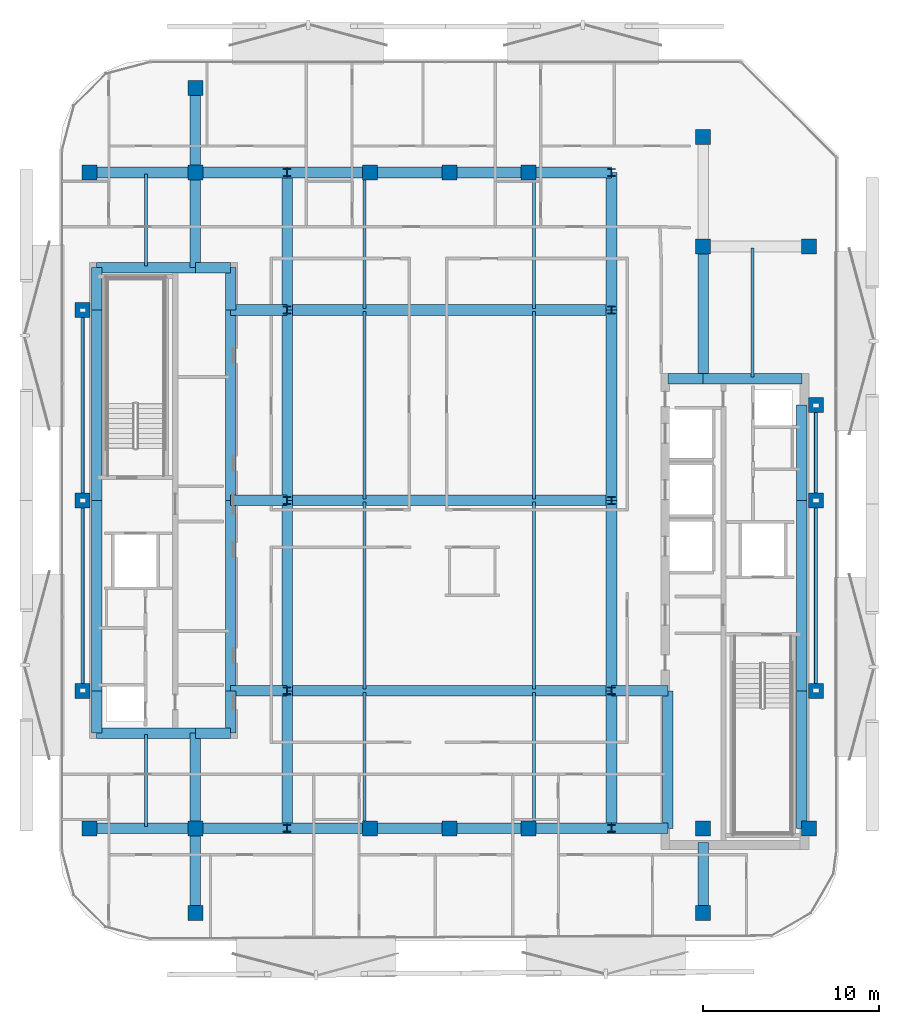
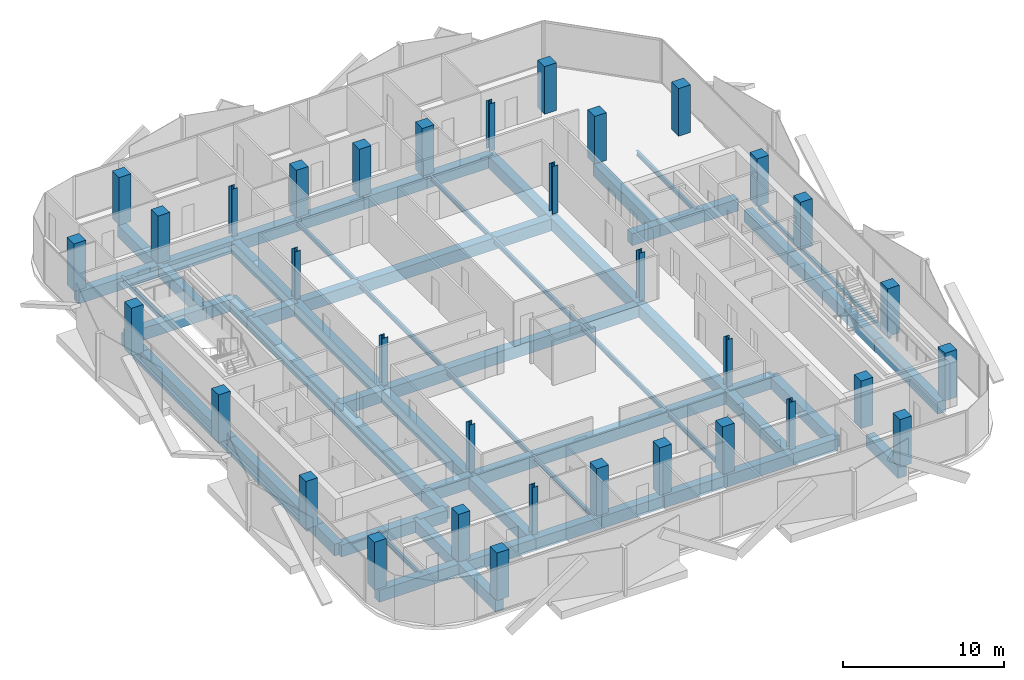
# One storey, part 1 of 15: 67 beams, 34 columns.
"""IFC4 building model written with IfcOpenShell, lengths in metres."""

from ifc_helpers import new_model, si_unit, direction, frame, origin, origin_2d, place, context, subcontext, project, spatial, rectangle, hollow_rectangle, i_section, extrude, material, material_profile, profile_set, type_object, element, save


model = new_model("IFC4")

# Units and contexts
model_context = context("Model", 3, precision=1e-05, world=origin(), true_north=direction((0.0, 1.0)))
body_context = subcontext(model_context, "Body", "Model", "MODEL_VIEW")
ifc_project = project(units=[si_unit("LENGTHUNIT", "METRE"), si_unit("AREAUNIT", "SQUARE_METRE"), si_unit("VOLUMEUNIT", "CUBIC_METRE"), si_unit("PLANEANGLEUNIT", "RADIAN"), si_unit("MASSUNIT", "GRAM", prefix="KILO")], contexts=[model_context])

# Site, building, storey
site_placement = place(None, origin())
site = spatial("IfcSite", under=ifc_project, at=site_placement, CompositionType="ELEMENT")
building_placement = place(site_placement, origin())
building = spatial("IfcBuilding", under=site, at=building_placement, Name="Khairoan Windgate Tower", CompositionType="ELEMENT")
storey_placement = place(building_placement, frame((0.0, 0.0, 244.0)))
storey = spatial("IfcBuildingStorey", under=building, at=storey_placement, Name="L57", CompositionType="ELEMENT", Elevation=244.0)

# Columns
ifc_material_1 = material(Name="Concrete C50/60", Category="concrete")
ifc_material_profile_1 = material_profile(ifc_material_1, rectangle(XDim=0.85009765625, YDim=0.85009765625, at=origin_2d()))
ifc_profile_set_1 = profile_set([ifc_material_profile_1], Name="Concrete C50/60")
column_type_1 = type_object("IfcColumnType", Name="Column C-T5 RC850x850", PredefinedType="COLUMN", material=ifc_profile_set_1)
for number, where, z_axis, x_axis, name in (
    (1, (-20.39990234375, -18.60009765625, 0.0), (0.0, 0.0, 1.0), (1.0, 0.0, 0.0), "Column L57-11"),
    (2, (-20.39990234375, 18.60009765625, 0.0), (0.0, 0.0, 1.0), (1.0, 0.0, 0.0), "Column L57-12"),
    (3, (20.39990234375, -18.60009765625, 0.0), (0.0, 0.0, 1.0), (1.0, 0.0, 0.0), "Column L57-13"),
    (4, (20.39990234375, 14.39990234375, 0.0), (0.0, 0.0, 1.0), (1.0, 0.0, 0.0), "Column L57-14"),
    (5, (-14.39990234375, -18.60009765625, 0.0), (0.0, 0.0, 1.0), (1.0, 0.0, 0.0), "Column L57-15"),
    (6, (-14.39990234375, 18.60009765625, 0.0), (0.0, 0.0, 1.0), (1.0, 0.0, 0.0), "Column L57-16"),
    (7, (14.39990234375, -18.60009765625, 0.0), (0.0, 0.0, 1.0), (1.0, 0.0, 0.0), "Column L57-17"),
    (8, (14.39990234375, 14.39990234375, 0.0), (0.0, 0.0, 1.0), (1.0, 0.0, 0.0), "Column L57-18"),
    (9, (-4.5, -18.60009765625, 0.0), (0.0, 0.0, 1.0), (1.0, 0.0, 0.0), "Column L57-19"),
    (10, (0.0, -18.60009765625, 0.0), (0.0, 0.0, 1.0), (1.0, 0.0, 0.0), "Column L57-20"),
    (11, (4.5, -18.60009765625, 0.0), (0.0, 0.0, 1.0), (1.0, 0.0, 0.0), "Column L57-21"),
    (12, (-4.5, 18.60009765625, 0.0), (0.0, 0.0, 1.0), (1.0, 0.0, 0.0), "Column L57-22"),
    (13, (0.0, 18.60009765625, 0.0), (0.0, 0.0, 1.0), (1.0, 0.0, 0.0), "Column L57-23"),
    (14, (4.5, 18.60009765625, 0.0), (0.0, 0.0, 1.0), (1.0, 0.0, 0.0), "Column L57-24"),
    (15, (-20.800048828125, -10.800048828125, 0.0), (0.0, 0.0, 1.0), (1.0, 0.0, 0.0), "Column L57-25"),
    (16, (-20.800048828125, 0.0, 0.0), (0.0, 0.0, 1.0), (1.0, 0.0, 0.0), "Column L57-26"),
    (17, (-20.800048828125, 10.800048828125, 0.0), (0.0, 0.0, 1.0), (1.0, 0.0, 0.0), "Column L57-27"),
    (18, (20.800048828125, -10.800048828125, 0.0), (0.0, 0.0, 1.0), (1.0, 0.0, 0.0), "Column L57-28"),
    (19, (20.800048828125, 0.0, 0.0), (0.0, 0.0, 1.0), (1.0, 0.0, 0.0), "Column L57-29"),
    (20, (20.800048828125, 5.39990234375, 0.0), (0.0, 0.0, 1.0), (1.0, 0.0, 0.0), "Column L57-30"),
    (21, (-14.39990234375, -23.39990234375, 0.0), (0.0, 0.0, 1.0), (1.0, 0.0, 0.0), "Column L57-31"),
    (22, (-14.39990234375, 23.39990234375, 0.0), (0.0, 0.0, 1.0), (1.0, 0.0, 0.0), "Column L57-32"),
    (23, (14.39990234375, -23.39990234375, 0.0), (0.0, 0.0, 1.0), (1.0, 0.0, 0.0), "Column L57-33"),
    (24, (14.39990234375, 20.60009765625, 0.0), (0.0, 0.0, 1.0), (1.0, 0.0, 0.0), "Column L57-34"),
):
    element("IfcColumn", number, at=place(storey_placement, frame(where, z_axis=z_axis, x_axis=x_axis)), inside=storey, type_object=column_type_1, Name=name, PredefinedType="COLUMN", context=body_context, shape_type="SweptSolid", body=[
        extrude(rectangle(XDim=0.85009765625, YDim=0.85009765625, at=origin_2d()), origin(), (0.0, 0.0, 1.0), 3.60009765625),
    ])
ifc_material_2 = material(Name="Steel S355", Category="steel")
ifc_material_profile_2 = material_profile(ifc_material_2, i_section(OverallWidth=0.406982421875, OverallDepth=0.427978515625, WebThickness=0.02001953125, FlangeThickness=0.034912109375, FilletRadius=0.02197265625, at=origin_2d()))
ifc_profile_set_2 = profile_set([ifc_material_profile_2], Name="Steel S355")
column_type_2 = type_object("IfcColumnType", Name="Steel Column SC3 H428x407x20x35", PredefinedType="COLUMN", material=ifc_profile_set_2)
for number, where, z_axis, x_axis, name in (
    (25, (-9.199951171875, -18.60009765625, 0.0), (0.0, 0.0, 1.0), (1.0, 0.0, 0.0), "Column L57-01"),
    (26, (-9.199951171875, -10.800048828125, 0.0), (0.0, 0.0, 1.0), (1.0, 0.0, 0.0), "Column L57-02"),
    (27, (-9.199951171875, 0.0, 0.0), (0.0, 0.0, 1.0), (1.0, 0.0, 0.0), "Column L57-03"),
    (28, (-9.199951171875, 10.800048828125, 0.0), (0.0, 0.0, 1.0), (1.0, 0.0, 0.0), "Column L57-04"),
    (29, (-9.199951171875, 18.60009765625, 0.0), (0.0, 0.0, 1.0), (1.0, 0.0, 0.0), "Column L57-05"),
    (30, (9.199951171875, -18.60009765625, 0.0), (0.0, 0.0, 1.0), (1.0, 0.0, 0.0), "Column L57-06"),
    (31, (9.199951171875, -10.800048828125, 0.0), (0.0, 0.0, 1.0), (1.0, 0.0, 0.0), "Column L57-07"),
    (32, (9.199951171875, 0.0, 0.0), (0.0, 0.0, 1.0), (1.0, 0.0, 0.0), "Column L57-08"),
    (33, (9.199951171875, 10.800048828125, 0.0), (0.0, 0.0, 1.0), (1.0, 0.0, 0.0), "Column L57-09"),
    (34, (9.199951171875, 18.60009765625, 0.0), (0.0, 0.0, 1.0), (1.0, 0.0, 0.0), "Column L57-10"),
):
    element("IfcColumn", number, at=place(storey_placement, frame(where, z_axis=z_axis, x_axis=x_axis)), inside=storey, type_object=column_type_2, Name=name, PredefinedType="COLUMN", context=body_context, shape_type="SweptSolid", body=[
        extrude(i_section(OverallWidth=0.406982421875, OverallDepth=0.427978515625, WebThickness=0.02001953125, FlangeThickness=0.034912109375, FilletRadius=0.02197265625, at=origin_2d()), origin(), (0.0, 0.0, 1.0), 3.60009765625),
    ])

# Beams
ifc_material_3 = material(Name="Concrete C50/60", Category="concrete")
ifc_material_profile_3 = material_profile(ifc_material_3, rectangle(XDim=0.60009765625, YDim=0.89990234375, at=origin_2d()))
ifc_profile_set_3 = profile_set([ifc_material_profile_3], Name="Concrete C50/60")
beam_type_1 = type_object("IfcBeamType", Name="Beam B-RC1 RC600x900", PredefinedType="BEAM", material=ifc_profile_set_3)
beam_1_placement = place(storey_placement, frame((-20.39990234375, -18.60009765625, -0.7099609375), z_axis=(1.0, 0.0, 0.0), x_axis=(0.0, 1.0, 0.0)))
element("IfcBeam", 35, at=beam_1_placement, inside=storey, type_object=beam_type_1, Name="L57 E-W Primary Girder 01", PredefinedType="BEAM", context=body_context, shape_type="SweptSolid", body=[
    extrude(rectangle(XDim=0.60009765625, YDim=0.89990234375, at=origin_2d()), origin(), (0.0, 0.0, 1.0), 6.0),
])
beam_2_placement = place(storey_placement, frame((-14.39990234375, -18.60009765625, -0.7099609375), z_axis=(1.0, 0.0, 0.0), x_axis=(0.0, 1.0, 0.0)))
element("IfcBeam", 36, at=beam_2_placement, inside=storey, type_object=beam_type_1, Name="L57 E-W Primary Girder 02", PredefinedType="BEAM", context=body_context, shape_type="SweptSolid", body=[
    extrude(rectangle(XDim=0.60009765625, YDim=0.89990234375, at=origin_2d()), origin(), (0.0, 0.0, 1.0), 5.199951171875),
])
beam_3_placement = place(storey_placement, frame((-9.199951171875, -18.60009765625, -0.7099609375), z_axis=(1.0, 0.0, 0.0), x_axis=(0.0, 1.0, 0.0)))
element("IfcBeam", 37, at=beam_3_placement, inside=storey, type_object=beam_type_1, Name="L57 E-W Primary Girder 03", PredefinedType="BEAM", context=body_context, shape_type="SweptSolid", body=[
    extrude(rectangle(XDim=0.60009765625, YDim=0.89990234375, at=origin_2d()), origin(), (0.0, 0.0, 1.0), 4.699951171875),
])
for number, where, z_axis, x_axis, name in (
    (38, (-4.5, -18.60009765625, -0.7099609375), (1.0, 0.0, 0.0), (0.0, 1.0, 0.0), "L57 E-W Primary Girder 04"),
    (39, (0.0, -18.60009765625, -0.7099609375), (1.0, 0.0, 0.0), (0.0, 1.0, 0.0), "L57 E-W Primary Girder 05"),
):
    element("IfcBeam", number, at=place(storey_placement, frame(where, z_axis=z_axis, x_axis=x_axis)), inside=storey, type_object=beam_type_1, Name=name, PredefinedType="BEAM", context=body_context, shape_type="SweptSolid", body=[
        extrude(rectangle(XDim=0.60009765625, YDim=0.89990234375, at=origin_2d()), origin(), (0.0, 0.0, 1.0), 4.5),
    ])
beam_4_placement = place(storey_placement, frame((4.5, -18.60009765625, -0.7099609375), z_axis=(1.0, 0.0, 0.0), x_axis=(0.0, 1.0, 0.0)))
element("IfcBeam", 40, at=beam_4_placement, inside=storey, type_object=beam_type_1, Name="L57 E-W Primary Girder 06", PredefinedType="BEAM", context=body_context, shape_type="SweptSolid", body=[
    extrude(rectangle(XDim=0.60009765625, YDim=0.89990234375, at=origin_2d()), origin(), (0.0, 0.0, 1.0), 4.699951171875),
])
beam_5_placement = place(storey_placement, frame((9.199951171875, -18.60009765625, -0.7099609375), z_axis=(1.0, 0.0, 0.0), x_axis=(0.0, 1.0, 0.0)))
element("IfcBeam", 41, at=beam_5_placement, inside=storey, type_object=beam_type_1, Name="L57 E-W Primary Girder 07", PredefinedType="BEAM", context=body_context, shape_type="SweptSolid", body=[
    extrude(rectangle(XDim=0.60009765625, YDim=0.89990234375, at=origin_2d()), origin(), (0.0, 0.0, 1.0), 3.199951171875),
])
beam_6_placement = place(storey_placement, frame((-20.0, -13.199951171875, -0.7099609375), z_axis=(1.0, 0.0, 0.0), x_axis=(0.0, 1.0, 0.0)))
element("IfcBeam", 42, at=beam_6_placement, inside=storey, type_object=beam_type_1, Name="L57 E-W Primary Girder 08", PredefinedType="BEAM", context=body_context, shape_type="SweptSolid", body=[
    extrude(rectangle(XDim=0.60009765625, YDim=0.89990234375, at=origin_2d()), origin(), (0.0, 0.0, 1.0), 5.60009765625),
])
beam_7_placement = place(storey_placement, frame((-14.39990234375, -13.199951171875, -0.7099609375), z_axis=(1.0, 0.0, 0.0), x_axis=(0.0, 1.0, 0.0)))
element("IfcBeam", 43, at=beam_7_placement, inside=storey, type_object=beam_type_1, Name="L57 E-W Primary Girder 09", PredefinedType="BEAM", context=body_context, shape_type="SweptSolid", body=[
    extrude(rectangle(XDim=0.60009765625, YDim=0.89990234375, at=origin_2d()), origin(), (0.0, 0.0, 1.0), 2.0),
])
beam_8_placement = place(storey_placement, frame((-12.39990234375, -10.800048828125, -0.7099609375), z_axis=(1.0, 0.0, 0.0), x_axis=(0.0, 1.0, 0.0)))
element("IfcBeam", 44, at=beam_8_placement, inside=storey, type_object=beam_type_1, Name="L57 E-W Primary Girder 10", PredefinedType="BEAM", context=body_context, shape_type="SweptSolid", body=[
    extrude(rectangle(XDim=0.60009765625, YDim=0.89990234375, at=origin_2d()), origin(), (0.0, 0.0, 1.0), 3.199951171875),
])
beam_9_placement = place(storey_placement, frame((-9.199951171875, -10.800048828125, -0.7099609375), z_axis=(1.0, 0.0, 0.0), x_axis=(0.0, 1.0, 0.0)))
element("IfcBeam", 45, at=beam_9_placement, inside=storey, type_object=beam_type_1, Name="L57 E-W Primary Girder 11", PredefinedType="BEAM", context=body_context, shape_type="SweptSolid", body=[
    extrude(rectangle(XDim=0.60009765625, YDim=0.89990234375, at=origin_2d()), origin(), (0.0, 0.0, 1.0), 18.39990234375),
])
for number, where, z_axis, x_axis, name in (
    (46, (9.199951171875, -10.800048828125, -0.7099609375), (1.0, 0.0, 0.0), (0.0, 1.0, 0.0), "L57 E-W Primary Girder 12"),
    (47, (-12.39990234375, 0.0, -0.7099609375), (1.0, 0.0, 0.0), (0.0, 1.0, 0.0), "L57 E-W Primary Girder 13"),
):
    element("IfcBeam", number, at=place(storey_placement, frame(where, z_axis=z_axis, x_axis=x_axis)), inside=storey, type_object=beam_type_1, Name=name, PredefinedType="BEAM", context=body_context, shape_type="SweptSolid", body=[
        extrude(rectangle(XDim=0.60009765625, YDim=0.89990234375, at=origin_2d()), origin(), (0.0, 0.0, 1.0), 3.199951171875),
    ])
beam_10_placement = place(storey_placement, frame((-9.199951171875, 0.0, -0.7099609375), z_axis=(1.0, 0.0, 0.0), x_axis=(0.0, 1.0, 0.0)))
element("IfcBeam", 48, at=beam_10_placement, inside=storey, type_object=beam_type_1, Name="L57 E-W Primary Girder 14", PredefinedType="BEAM", context=body_context, shape_type="SweptSolid", body=[
    extrude(rectangle(XDim=0.60009765625, YDim=0.89990234375, at=origin_2d()), origin(), (0.0, 0.0, 1.0), 18.39990234375),
])
beam_11_placement = place(storey_placement, frame((12.39990234375, 6.89990234375, -0.7099609375), z_axis=(1.0, 0.0, 0.0), x_axis=(0.0, 1.0, 0.0)))
element("IfcBeam", 49, at=beam_11_placement, inside=storey, type_object=beam_type_1, Name="L57 E-W Primary Girder 15", PredefinedType="BEAM", context=body_context, shape_type="SweptSolid", body=[
    extrude(rectangle(XDim=0.60009765625, YDim=0.89990234375, at=origin_2d()), origin(), (0.0, 0.0, 1.0), 2.0),
])
beam_12_placement = place(storey_placement, frame((14.39990234375, 6.89990234375, -0.7099609375), z_axis=(1.0, 0.0, 0.0), x_axis=(0.0, 1.0, 0.0)))
element("IfcBeam", 50, at=beam_12_placement, inside=storey, type_object=beam_type_1, Name="L57 E-W Primary Girder 16", PredefinedType="BEAM", context=body_context, shape_type="SweptSolid", body=[
    extrude(rectangle(XDim=0.60009765625, YDim=0.89990234375, at=origin_2d()), origin(), (0.0, 0.0, 1.0), 5.60009765625),
])
beam_13_placement = place(storey_placement, frame((-12.39990234375, 10.800048828125, -0.7099609375), z_axis=(1.0, 0.0, 0.0), x_axis=(0.0, 1.0, 0.0)))
element("IfcBeam", 51, at=beam_13_placement, inside=storey, type_object=beam_type_1, Name="L57 E-W Primary Girder 17", PredefinedType="BEAM", context=body_context, shape_type="SweptSolid", body=[
    extrude(rectangle(XDim=0.60009765625, YDim=0.89990234375, at=origin_2d()), origin(), (0.0, 0.0, 1.0), 3.199951171875),
])
beam_14_placement = place(storey_placement, frame((-9.199951171875, 10.800048828125, -0.7099609375), z_axis=(1.0, 0.0, 0.0), x_axis=(0.0, 1.0, 0.0)))
element("IfcBeam", 52, at=beam_14_placement, inside=storey, type_object=beam_type_1, Name="L57 E-W Primary Girder 18", PredefinedType="BEAM", context=body_context, shape_type="SweptSolid", body=[
    extrude(rectangle(XDim=0.60009765625, YDim=0.89990234375, at=origin_2d()), origin(), (0.0, 0.0, 1.0), 18.39990234375),
])
beam_15_placement = place(storey_placement, frame((-20.0, 13.199951171875, -0.7099609375), z_axis=(1.0, 0.0, 0.0), x_axis=(0.0, 1.0, 0.0)))
element("IfcBeam", 53, at=beam_15_placement, inside=storey, type_object=beam_type_1, Name="L57 E-W Primary Girder 19", PredefinedType="BEAM", context=body_context, shape_type="SweptSolid", body=[
    extrude(rectangle(XDim=0.60009765625, YDim=0.89990234375, at=origin_2d()), origin(), (0.0, 0.0, 1.0), 5.60009765625),
])
beam_16_placement = place(storey_placement, frame((-14.39990234375, 13.199951171875, -0.7099609375), z_axis=(1.0, 0.0, 0.0), x_axis=(0.0, 1.0, 0.0)))
element("IfcBeam", 54, at=beam_16_placement, inside=storey, type_object=beam_type_1, Name="L57 E-W Primary Girder 20", PredefinedType="BEAM", context=body_context, shape_type="SweptSolid", body=[
    extrude(rectangle(XDim=0.60009765625, YDim=0.89990234375, at=origin_2d()), origin(), (0.0, 0.0, 1.0), 2.0),
])
beam_17_placement = place(storey_placement, frame((-20.39990234375, 18.60009765625, -0.7099609375), z_axis=(1.0, 0.0, 0.0), x_axis=(0.0, 1.0, 0.0)))
element("IfcBeam", 55, at=beam_17_placement, inside=storey, type_object=beam_type_1, Name="L57 E-W Primary Girder 22", PredefinedType="BEAM", context=body_context, shape_type="SweptSolid", body=[
    extrude(rectangle(XDim=0.60009765625, YDim=0.89990234375, at=origin_2d()), origin(), (0.0, 0.0, 1.0), 6.0),
])
beam_18_placement = place(storey_placement, frame((-14.39990234375, 18.60009765625, -0.7099609375), z_axis=(1.0, 0.0, 0.0), x_axis=(0.0, 1.0, 0.0)))
element("IfcBeam", 56, at=beam_18_placement, inside=storey, type_object=beam_type_1, Name="L57 E-W Primary Girder 23", PredefinedType="BEAM", context=body_context, shape_type="SweptSolid", body=[
    extrude(rectangle(XDim=0.60009765625, YDim=0.89990234375, at=origin_2d()), origin(), (0.0, 0.0, 1.0), 5.199951171875),
])
beam_19_placement = place(storey_placement, frame((-9.199951171875, 18.60009765625, -0.7099609375), z_axis=(1.0, 0.0, 0.0), x_axis=(0.0, 1.0, 0.0)))
element("IfcBeam", 57, at=beam_19_placement, inside=storey, type_object=beam_type_1, Name="L57 E-W Primary Girder 24", PredefinedType="BEAM", context=body_context, shape_type="SweptSolid", body=[
    extrude(rectangle(XDim=0.60009765625, YDim=0.89990234375, at=origin_2d()), origin(), (0.0, 0.0, 1.0), 4.699951171875),
])
for number, where, z_axis, x_axis, name in (
    (58, (-4.5, 18.60009765625, -0.7099609375), (1.0, 0.0, 0.0), (0.0, 1.0, 0.0), "L57 E-W Primary Girder 25"),
    (59, (0.0, 18.60009765625, -0.7099609375), (1.0, 0.0, 0.0), (0.0, 1.0, 0.0), "L57 E-W Primary Girder 26"),
):
    element("IfcBeam", number, at=place(storey_placement, frame(where, z_axis=z_axis, x_axis=x_axis)), inside=storey, type_object=beam_type_1, Name=name, PredefinedType="BEAM", context=body_context, shape_type="SweptSolid", body=[
        extrude(rectangle(XDim=0.60009765625, YDim=0.89990234375, at=origin_2d()), origin(), (0.0, 0.0, 1.0), 4.5),
    ])
beam_20_placement = place(storey_placement, frame((4.5, 18.60009765625, -0.7099609375), z_axis=(1.0, 0.0, 0.0), x_axis=(0.0, 1.0, 0.0)))
element("IfcBeam", 60, at=beam_20_placement, inside=storey, type_object=beam_type_1, Name="L57 E-W Primary Girder 27", PredefinedType="BEAM", context=body_context, shape_type="SweptSolid", body=[
    extrude(rectangle(XDim=0.60009765625, YDim=0.89990234375, at=origin_2d()), origin(), (0.0, 0.0, 1.0), 4.699951171875),
])
beam_21_placement = place(storey_placement, frame((-20.0, -13.199951171875, -0.7099609375), z_axis=(0.0, 1.0, 0.0), x_axis=(-1.0, 0.0, 0.0)))
element("IfcBeam", 61, at=beam_21_placement, inside=storey, type_object=beam_type_1, Name="L57 N-S Primary Beam 30", PredefinedType="BEAM", context=body_context, shape_type="SweptSolid", body=[
    extrude(rectangle(XDim=0.60009765625, YDim=0.89990234375, at=origin_2d()), origin(), (0.0, 0.0, 1.0), 2.39990234375),
])
for number, where, z_axis, x_axis, name in (
    (62, (-20.0, -10.800048828125, -0.7099609375), (0.0, 1.0, 0.0), (-1.0, 0.0, 0.0), "L57 N-S Primary Beam 31"),
    (63, (-20.0, 0.0, -0.7099609375), (0.0, 1.0, 0.0), (-1.0, 0.0, 0.0), "L57 N-S Primary Beam 32"),
):
    element("IfcBeam", number, at=place(storey_placement, frame(where, z_axis=z_axis, x_axis=x_axis)), inside=storey, type_object=beam_type_1, Name=name, PredefinedType="BEAM", context=body_context, shape_type="SweptSolid", body=[
        extrude(rectangle(XDim=0.60009765625, YDim=0.89990234375, at=origin_2d()), origin(), (0.0, 0.0, 1.0), 10.800048828125),
    ])
beam_22_placement = place(storey_placement, frame((-20.0, 10.800048828125, -0.7099609375), z_axis=(0.0, 1.0, 0.0), x_axis=(-1.0, 0.0, 0.0)))
element("IfcBeam", 64, at=beam_22_placement, inside=storey, type_object=beam_type_1, Name="L57 N-S Primary Beam 33", PredefinedType="BEAM", context=body_context, shape_type="SweptSolid", body=[
    extrude(rectangle(XDim=0.60009765625, YDim=0.89990234375, at=origin_2d()), origin(), (0.0, 0.0, 1.0), 2.39990234375),
])
beam_23_placement = place(storey_placement, frame((-14.39990234375, -23.39990234375, -0.7099609375), z_axis=(0.0, 1.0, 0.0), x_axis=(-1.0, 0.0, 0.0)))
element("IfcBeam", 65, at=beam_23_placement, inside=storey, type_object=beam_type_1, Name="L57 N-S Primary Beam 34", PredefinedType="BEAM", context=body_context, shape_type="SweptSolid", body=[
    extrude(rectangle(XDim=0.60009765625, YDim=0.89990234375, at=origin_2d()), origin(), (0.0, 0.0, 1.0), 4.7998046875),
])
for number, where, z_axis, x_axis, name in (
    (66, (-14.39990234375, -18.60009765625, -0.7099609375), (0.0, 1.0, 0.0), (-1.0, 0.0, 0.0), "L57 N-S Primary Beam 35"),
    (67, (-14.39990234375, 13.199951171875, -0.7099609375), (0.0, 1.0, 0.0), (-1.0, 0.0, 0.0), "L57 N-S Primary Beam 36"),
):
    element("IfcBeam", number, at=place(storey_placement, frame(where, z_axis=z_axis, x_axis=x_axis)), inside=storey, type_object=beam_type_1, Name=name, PredefinedType="BEAM", context=body_context, shape_type="SweptSolid", body=[
        extrude(rectangle(XDim=0.60009765625, YDim=0.89990234375, at=origin_2d()), origin(), (0.0, 0.0, 1.0), 5.400146484375),
    ])
beam_24_placement = place(storey_placement, frame((-14.39990234375, 18.60009765625, -0.7099609375), z_axis=(0.0, 1.0, 0.0), x_axis=(-1.0, 0.0, 0.0)))
element("IfcBeam", 68, at=beam_24_placement, inside=storey, type_object=beam_type_1, Name="L57 N-S Primary Beam 37", PredefinedType="BEAM", context=body_context, shape_type="SweptSolid", body=[
    extrude(rectangle(XDim=0.60009765625, YDim=0.89990234375, at=origin_2d()), origin(), (0.0, 0.0, 1.0), 4.7998046875),
])
beam_25_placement = place(storey_placement, frame((-12.39990234375, -13.199951171875, -0.7099609375), z_axis=(0.0, 1.0, 0.0), x_axis=(-1.0, 0.0, 0.0)))
element("IfcBeam", 69, at=beam_25_placement, inside=storey, type_object=beam_type_1, Name="L57 N-S Primary Beam 38", PredefinedType="BEAM", context=body_context, shape_type="SweptSolid", body=[
    extrude(rectangle(XDim=0.60009765625, YDim=0.89990234375, at=origin_2d()), origin(), (0.0, 0.0, 1.0), 2.39990234375),
])
for number, where, z_axis, x_axis, name in (
    (70, (-12.39990234375, -10.800048828125, -0.7099609375), (0.0, 1.0, 0.0), (-1.0, 0.0, 0.0), "L57 N-S Primary Beam 39"),
    (71, (-12.39990234375, 0.0, -0.7099609375), (0.0, 1.0, 0.0), (-1.0, 0.0, 0.0), "L57 N-S Primary Beam 40"),
):
    element("IfcBeam", number, at=place(storey_placement, frame(where, z_axis=z_axis, x_axis=x_axis)), inside=storey, type_object=beam_type_1, Name=name, PredefinedType="BEAM", context=body_context, shape_type="SweptSolid", body=[
        extrude(rectangle(XDim=0.60009765625, YDim=0.89990234375, at=origin_2d()), origin(), (0.0, 0.0, 1.0), 10.800048828125),
    ])
beam_26_placement = place(storey_placement, frame((-12.39990234375, 10.800048828125, -0.7099609375), z_axis=(0.0, 1.0, 0.0), x_axis=(-1.0, 0.0, 0.0)))
element("IfcBeam", 72, at=beam_26_placement, inside=storey, type_object=beam_type_1, Name="L57 N-S Primary Beam 41", PredefinedType="BEAM", context=body_context, shape_type="SweptSolid", body=[
    extrude(rectangle(XDim=0.60009765625, YDim=0.89990234375, at=origin_2d()), origin(), (0.0, 0.0, 1.0), 2.39990234375),
])
beam_27_placement = place(storey_placement, frame((-9.199951171875, -18.60009765625, -0.7099609375), z_axis=(0.0, 1.0, 0.0), x_axis=(-1.0, 0.0, 0.0)))
element("IfcBeam", 73, at=beam_27_placement, inside=storey, type_object=beam_type_1, Name="L57 N-S Primary Beam 42", PredefinedType="BEAM", context=body_context, shape_type="SweptSolid", body=[
    extrude(rectangle(XDim=0.60009765625, YDim=0.89990234375, at=origin_2d()), origin(), (0.0, 0.0, 1.0), 7.800048828125),
])
for number, where, z_axis, x_axis, name in (
    (74, (-9.199951171875, -10.800048828125, -0.7099609375), (0.0, 1.0, 0.0), (-1.0, 0.0, 0.0), "L57 N-S Primary Beam 43"),
    (75, (-9.199951171875, 0.0, -0.7099609375), (0.0, 1.0, 0.0), (-1.0, 0.0, 0.0), "L57 N-S Primary Beam 44"),
):
    element("IfcBeam", number, at=place(storey_placement, frame(where, z_axis=z_axis, x_axis=x_axis)), inside=storey, type_object=beam_type_1, Name=name, PredefinedType="BEAM", context=body_context, shape_type="SweptSolid", body=[
        extrude(rectangle(XDim=0.60009765625, YDim=0.89990234375, at=origin_2d()), origin(), (0.0, 0.0, 1.0), 10.800048828125),
    ])
for number, where, z_axis, x_axis, name in (
    (76, (-9.199951171875, 10.800048828125, -0.7099609375), (0.0, 1.0, 0.0), (-1.0, 0.0, 0.0), "L57 N-S Primary Beam 45"),
    (77, (9.199951171875, -18.60009765625, -0.7099609375), (0.0, 1.0, 0.0), (-1.0, 0.0, 0.0), "L57 N-S Primary Beam 46"),
):
    element("IfcBeam", number, at=place(storey_placement, frame(where, z_axis=z_axis, x_axis=x_axis)), inside=storey, type_object=beam_type_1, Name=name, PredefinedType="BEAM", context=body_context, shape_type="SweptSolid", body=[
        extrude(rectangle(XDim=0.60009765625, YDim=0.89990234375, at=origin_2d()), origin(), (0.0, 0.0, 1.0), 7.800048828125),
    ])
for number, where, z_axis, x_axis, name in (
    (78, (9.199951171875, -10.800048828125, -0.7099609375), (0.0, 1.0, 0.0), (-1.0, 0.0, 0.0), "L57 N-S Primary Beam 47"),
    (79, (9.199951171875, 0.0, -0.7099609375), (0.0, 1.0, 0.0), (-1.0, 0.0, 0.0), "L57 N-S Primary Beam 48"),
):
    element("IfcBeam", number, at=place(storey_placement, frame(where, z_axis=z_axis, x_axis=x_axis)), inside=storey, type_object=beam_type_1, Name=name, PredefinedType="BEAM", context=body_context, shape_type="SweptSolid", body=[
        extrude(rectangle(XDim=0.60009765625, YDim=0.89990234375, at=origin_2d()), origin(), (0.0, 0.0, 1.0), 10.800048828125),
    ])
for number, where, z_axis, x_axis, name in (
    (80, (9.199951171875, 10.800048828125, -0.7099609375), (0.0, 1.0, 0.0), (-1.0, 0.0, 0.0), "L57 N-S Primary Beam 49"),
    (81, (12.39990234375, -18.60009765625, -0.7099609375), (0.0, 1.0, 0.0), (-1.0, 0.0, 0.0), "L57 N-S Primary Beam 50"),
):
    element("IfcBeam", number, at=place(storey_placement, frame(where, z_axis=z_axis, x_axis=x_axis)), inside=storey, type_object=beam_type_1, Name=name, PredefinedType="BEAM", context=body_context, shape_type="SweptSolid", body=[
        extrude(rectangle(XDim=0.60009765625, YDim=0.89990234375, at=origin_2d()), origin(), (0.0, 0.0, 1.0), 7.800048828125),
    ])
beam_28_placement = place(storey_placement, frame((14.39990234375, -23.39990234375, -0.7099609375), z_axis=(0.0, 1.0, 0.0), x_axis=(-1.0, 0.0, 0.0)))
element("IfcBeam", 82, at=beam_28_placement, inside=storey, type_object=beam_type_1, Name="L57 N-S Primary Beam 51", PredefinedType="BEAM", context=body_context, shape_type="SweptSolid", body=[
    extrude(rectangle(XDim=0.60009765625, YDim=0.89990234375, at=origin_2d()), origin(), (0.0, 0.0, 1.0), 4.0),
])
beam_29_placement = place(storey_placement, frame((14.39990234375, 6.89990234375, -0.7099609375), z_axis=(0.0, 1.0, 0.0), x_axis=(-1.0, 0.0, 0.0)))
element("IfcBeam", 83, at=beam_29_placement, inside=storey, type_object=beam_type_1, Name="L57 N-S Primary Beam 52", PredefinedType="BEAM", context=body_context, shape_type="SweptSolid", body=[
    extrude(rectangle(XDim=0.60009765625, YDim=0.89990234375, at=origin_2d()), origin(), (0.0, 0.0, 1.0), 7.5),
])
beam_30_placement = place(storey_placement, frame((20.0, -18.60009765625, -0.7099609375), z_axis=(0.0, 1.0, 0.0), x_axis=(-1.0, 0.0, 0.0)))
element("IfcBeam", 84, at=beam_30_placement, inside=storey, type_object=beam_type_1, Name="L57 N-S Primary Beam 54", PredefinedType="BEAM", context=body_context, shape_type="SweptSolid", body=[
    extrude(rectangle(XDim=0.60009765625, YDim=0.89990234375, at=origin_2d()), origin(), (0.0, 0.0, 1.0), 7.800048828125),
])
beam_31_placement = place(storey_placement, frame((20.0, -10.800048828125, -0.7099609375), z_axis=(0.0, 1.0, 0.0), x_axis=(-1.0, 0.0, 0.0)))
element("IfcBeam", 85, at=beam_31_placement, inside=storey, type_object=beam_type_1, Name="L57 N-S Primary Beam 55", PredefinedType="BEAM", context=body_context, shape_type="SweptSolid", body=[
    extrude(rectangle(XDim=0.60009765625, YDim=0.89990234375, at=origin_2d()), origin(), (0.0, 0.0, 1.0), 10.800048828125),
])
beam_32_placement = place(storey_placement, frame((20.0, 0.0, -0.7099609375), z_axis=(0.0, 1.0, 0.0), x_axis=(-1.0, 0.0, 0.0)))
element("IfcBeam", 86, at=beam_32_placement, inside=storey, type_object=beam_type_1, Name="L57 N-S Primary Beam 56", PredefinedType="BEAM", context=body_context, shape_type="SweptSolid", body=[
    extrude(rectangle(XDim=0.60009765625, YDim=0.89990234375, at=origin_2d()), origin(), (0.0, 0.0, 1.0), 5.39990234375),
])
ifc_material_4 = material(Name="Steel S355", Category="steel")
ifc_material_profile_4 = material_profile(ifc_material_4, i_section(OverallWidth=0.175048828125, OverallDepth=0.35009765625, WebThickness=0.007080078125, FlangeThickness=0.010986328125, FilletRadius=0.013916015625, at=origin_2d()))
ifc_profile_set_4 = profile_set([ifc_material_profile_4], Name="Steel S355")
beam_type_2 = type_object("IfcBeamType", Name="Beam J-S5 H350x175x7x11", PredefinedType="JOIST", material=ifc_profile_set_4)
for number, where, z_axis, x_axis, name in (
    (87, (-17.199951171875, -18.510009765625, -0.43505859375), (0.0, 1.0, 0.0), (-1.0, 0.0, 0.0), "L57 Secondary Floor Joist 01"),
    (88, (-17.199951171875, 13.2900390625, -0.43505859375), (0.0, 1.0, 0.0), (-1.0, 0.0, 0.0), "L57 Secondary Floor Joist 02"),
):
    element("IfcBeam", number, at=place(storey_placement, frame(where, z_axis=z_axis, x_axis=x_axis)), inside=storey, type_object=beam_type_2, Name=name, PredefinedType="JOIST", context=body_context, shape_type="SweptSolid", body=[
        extrude(i_section(OverallWidth=0.175048828125, OverallDepth=0.35009765625, WebThickness=0.007080078125, FlangeThickness=0.010986328125, FilletRadius=0.013916015625, at=origin_2d()), origin(), (0.0, 0.0, 1.0), 5.219970703125),
    ])
beam_33_placement = place(storey_placement, frame((-4.800048828125, -18.510009765625, -0.43505859375), z_axis=(0.0, 1.0, 0.0), x_axis=(-1.0, 0.0, 0.0)))
element("IfcBeam", 89, at=beam_33_placement, inside=storey, type_object=beam_type_2, Name="L57 Secondary Floor Joist 03", PredefinedType="JOIST", context=body_context, shape_type="SweptSolid", body=[
    extrude(i_section(OverallWidth=0.175048828125, OverallDepth=0.35009765625, WebThickness=0.007080078125, FlangeThickness=0.010986328125, FilletRadius=0.013916015625, at=origin_2d()), origin(), (0.0, 0.0, 1.0), 7.6201171875),
])
for number, where, z_axis, x_axis, name in (
    (90, (-4.800048828125, -10.7099609375, -0.43505859375), (0.0, 1.0, 0.0), (-1.0, 0.0, 0.0), "L57 Secondary Floor Joist 04"),
    (91, (-4.800048828125, 0.090087890625, -0.43505859375), (0.0, 1.0, 0.0), (-1.0, 0.0, 0.0), "L57 Secondary Floor Joist 05"),
):
    element("IfcBeam", number, at=place(storey_placement, frame(where, z_axis=z_axis, x_axis=x_axis)), inside=storey, type_object=beam_type_2, Name=name, PredefinedType="JOIST", context=body_context, shape_type="SweptSolid", body=[
        extrude(i_section(OverallWidth=0.175048828125, OverallDepth=0.35009765625, WebThickness=0.007080078125, FlangeThickness=0.010986328125, FilletRadius=0.013916015625, at=origin_2d()), origin(), (0.0, 0.0, 1.0), 10.619873046875),
    ])
for number, where, z_axis, x_axis, name in (
    (92, (-4.800048828125, 10.889892578125, -0.43505859375), (0.0, 1.0, 0.0), (-1.0, 0.0, 0.0), "L57 Secondary Floor Joist 06"),
    (93, (4.800048828125, -18.510009765625, -0.43505859375), (0.0, 1.0, 0.0), (-1.0, 0.0, 0.0), "L57 Secondary Floor Joist 07"),
):
    element("IfcBeam", number, at=place(storey_placement, frame(where, z_axis=z_axis, x_axis=x_axis)), inside=storey, type_object=beam_type_2, Name=name, PredefinedType="JOIST", context=body_context, shape_type="SweptSolid", body=[
        extrude(i_section(OverallWidth=0.175048828125, OverallDepth=0.35009765625, WebThickness=0.007080078125, FlangeThickness=0.010986328125, FilletRadius=0.013916015625, at=origin_2d()), origin(), (0.0, 0.0, 1.0), 7.6201171875),
    ])
for number, where, z_axis, x_axis, name in (
    (94, (4.800048828125, -10.7099609375, -0.43505859375), (0.0, 1.0, 0.0), (-1.0, 0.0, 0.0), "L57 Secondary Floor Joist 08"),
    (95, (4.800048828125, 0.090087890625, -0.43505859375), (0.0, 1.0, 0.0), (-1.0, 0.0, 0.0), "L57 Secondary Floor Joist 09"),
):
    element("IfcBeam", number, at=place(storey_placement, frame(where, z_axis=z_axis, x_axis=x_axis)), inside=storey, type_object=beam_type_2, Name=name, PredefinedType="JOIST", context=body_context, shape_type="SweptSolid", body=[
        extrude(i_section(OverallWidth=0.175048828125, OverallDepth=0.35009765625, WebThickness=0.007080078125, FlangeThickness=0.010986328125, FilletRadius=0.013916015625, at=origin_2d()), origin(), (0.0, 0.0, 1.0), 10.619873046875),
    ])
beam_34_placement = place(storey_placement, frame((4.800048828125, 10.889892578125, -0.43505859375), z_axis=(0.0, 1.0, 0.0), x_axis=(-1.0, 0.0, 0.0)))
element("IfcBeam", 96, at=beam_34_placement, inside=storey, type_object=beam_type_2, Name="L57 Secondary Floor Joist 10", PredefinedType="JOIST", context=body_context, shape_type="SweptSolid", body=[
    extrude(i_section(OverallWidth=0.175048828125, OverallDepth=0.35009765625, WebThickness=0.007080078125, FlangeThickness=0.010986328125, FilletRadius=0.013916015625, at=origin_2d()), origin(), (0.0, 0.0, 1.0), 7.6201171875),
])
beam_35_placement = place(storey_placement, frame((17.199951171875, 6.989990234375, -0.43505859375), z_axis=(0.0, 1.0, 0.0), x_axis=(-1.0, 0.0, 0.0)))
element("IfcBeam", 97, at=beam_35_placement, inside=storey, type_object=beam_type_2, Name="L57 Secondary Floor Joist 11", PredefinedType="JOIST", context=body_context, shape_type="SweptSolid", body=[
    extrude(i_section(OverallWidth=0.175048828125, OverallDepth=0.35009765625, WebThickness=0.007080078125, FlangeThickness=0.010986328125, FilletRadius=0.013916015625, at=origin_2d()), origin(), (0.0, 0.0, 1.0), 7.320068359375),
])
ifc_material_5 = material(Name="Steel S355", Category="steel")
ifc_material_profile_5 = material_profile(ifc_material_5, hollow_rectangle(XDim=0.199951171875, YDim=0.300048828125, WallThickness=0.012451171875, InnerFilletRadius=0.012451171875, OuterFilletRadius=0.02490234375, at=origin_2d()))
ifc_profile_set_5 = profile_set([ifc_material_profile_5], Name="Steel S355")
beam_type_3 = type_object("IfcBeamType", Name="Beam SP-B3 RHS300x200x12.5", PredefinedType="SPANDREL", material=ifc_profile_set_5)
for number, where, z_axis, x_axis, name in (
    (98, (-20.800048828125, -10.800048828125, -0.409912109375), (0.0, 1.0, 0.0), (-1.0, 0.0, 0.0), "L57 Spandrel Beam 28"),
    (99, (-20.800048828125, 0.0, -0.409912109375), (0.0, 1.0, 0.0), (-1.0, 0.0, 0.0), "L57 Spandrel Beam 29"),
    (100, (20.800048828125, -10.800048828125, -0.409912109375), (0.0, 1.0, 0.0), (-1.0, 0.0, 0.0), "L57 Spandrel Beam 57"),
):
    element("IfcBeam", number, at=place(storey_placement, frame(where, z_axis=z_axis, x_axis=x_axis)), inside=storey, type_object=beam_type_3, Name=name, PredefinedType="SPANDREL", context=body_context, shape_type="SweptSolid", body=[
        extrude(hollow_rectangle(XDim=0.199951171875, YDim=0.300048828125, WallThickness=0.012451171875, InnerFilletRadius=0.012451171875, OuterFilletRadius=0.02490234375, at=origin_2d()), origin(), (0.0, 0.0, 1.0), 10.800048828125),
    ])
beam_36_placement = place(storey_placement, frame((20.800048828125, 0.0, -0.409912109375), z_axis=(0.0, 1.0, 0.0), x_axis=(-1.0, 0.0, 0.0)))
element("IfcBeam", 101, at=beam_36_placement, inside=storey, type_object=beam_type_3, Name="L57 Spandrel Beam 58", PredefinedType="SPANDREL", context=body_context, shape_type="SweptSolid", body=[
    extrude(hollow_rectangle(XDim=0.199951171875, YDim=0.300048828125, WallThickness=0.012451171875, InnerFilletRadius=0.012451171875, OuterFilletRadius=0.02490234375, at=origin_2d()), origin(), (0.0, 0.0, 1.0), 5.39990234375),
])

save(model, "model.ifc")
